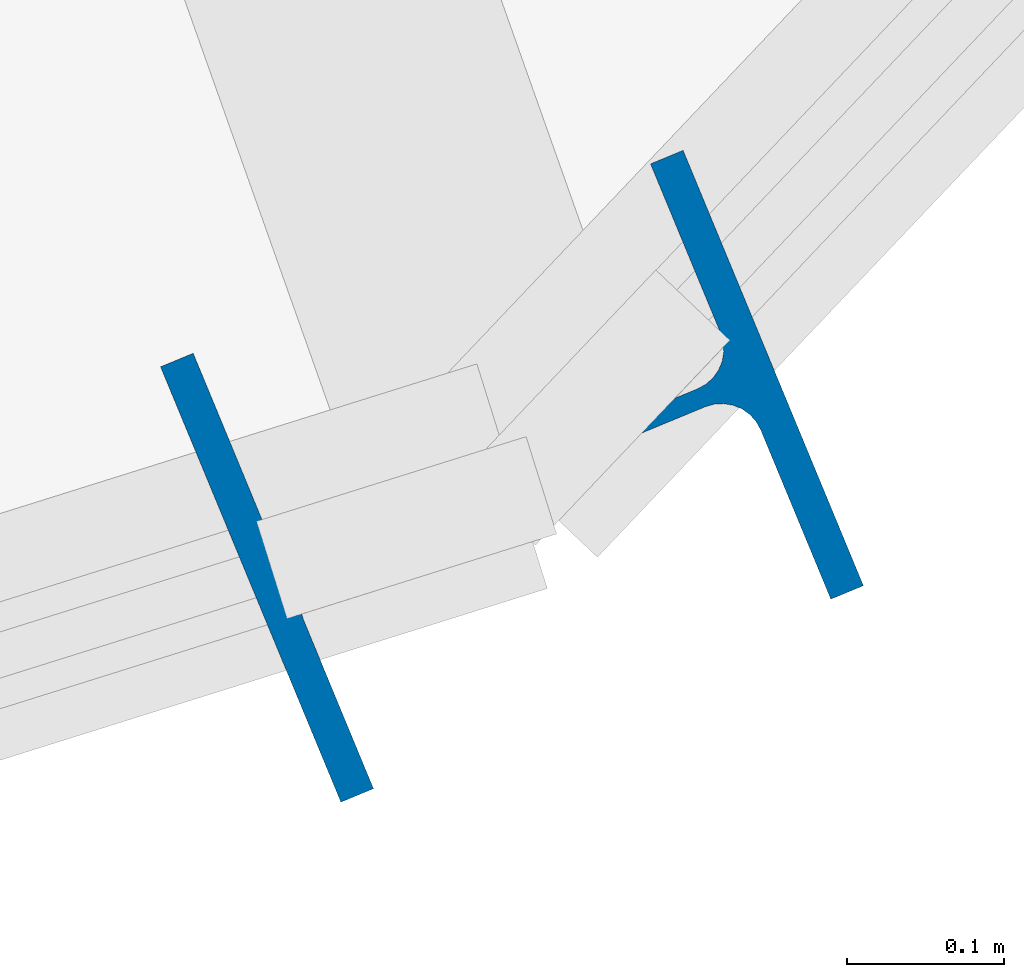
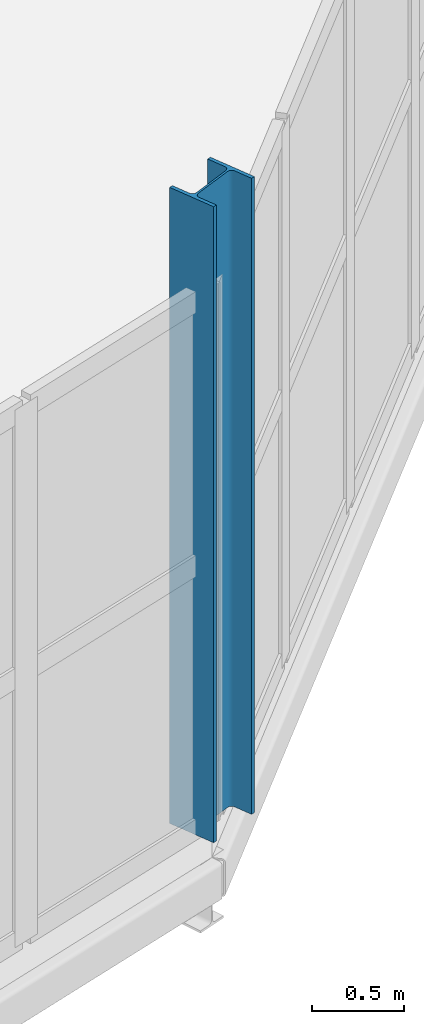
# One storey, part 22 of 161: 1 column.
"""IFC4 building model written with IfcOpenShell, lengths in metres."""

from ifc_helpers import new_model, si_unit, direction, frame, origin, origin_2d, place, context, subcontext, project, spatial, i_section, extrude, material, material_profile, profile_set, type_object, element, save


model = new_model("IFC4")

# Units and contexts
model_context = context("Model", 3, precision=1e-05, world=origin(), true_north=direction((0.0, 1.0)))
body_context = subcontext(model_context, "Body", "Model", "MODEL_VIEW")
ifc_project = project(units=[si_unit("LENGTHUNIT", "METRE"), si_unit("AREAUNIT", "SQUARE_METRE"), si_unit("VOLUMEUNIT", "CUBIC_METRE"), si_unit("PLANEANGLEUNIT", "RADIAN"), si_unit("MASSUNIT", "GRAM", prefix="KILO")], contexts=[model_context])

# Site, building, storey
site_placement = place(None, origin())
site = spatial("IfcSite", under=ifc_project, at=site_placement, CompositionType="ELEMENT")
building_placement = place(site_placement, origin())
building = spatial("IfcBuilding", under=site, at=building_placement, Name="Kildeholm Park Wholesale Market", CompositionType="ELEMENT")
storey_placement = place(building_placement, frame((0.0, 0.0, 5.39990234375)))
storey = spatial("IfcBuildingStorey", under=building, at=storey_placement, Name="L01", CompositionType="ELEMENT", Elevation=5.39990234375)

# Column
ifc_material = material(Name="Steel S355", Category="steel")
ifc_material_profile = material_profile(ifc_material, i_section(OverallWidth=0.300048828125, OverallDepth=0.360107421875, WebThickness=0.012451171875, FlangeThickness=0.0224609375, FilletRadius=0.027099609375, at=origin_2d()), Name="HEB 360")
ifc_profile_set = profile_set([ifc_material_profile], Name="Steel S355")
column_type = type_object("IfcColumnType", Name="Column C-S04 HEB 360", PredefinedType="COLUMN", material=ifc_profile_set)
column_placement = place(storey_placement, frame((196.610107421875, 61.701904296875, 0.0), z_axis=(0.0, 0.0, 1.0), x_axis=(0.382683432365, -0.923879532511, 0.0)))
element("IfcColumn", 1, at=column_placement, inside=storey, type_object=column_type, Name="Column V2-OT-13 L01 COL-0286", PredefinedType="COLUMN", context=body_context, shape_type="SweptSolid", body=[
    extrude(i_section(OverallWidth=0.300048828125, OverallDepth=0.360107421875, WebThickness=0.012451171875, FlangeThickness=0.0224609375, FilletRadius=0.027099609375, at=origin_2d()), origin(), (0.0, 0.0, 1.0), 4.2001953125),
])

save(model, "model.ifc")
